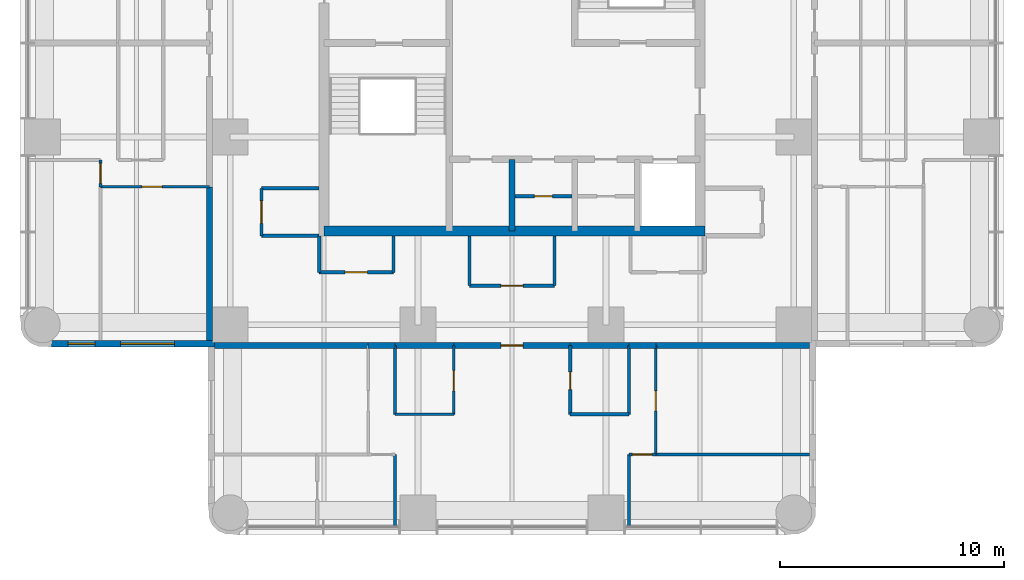
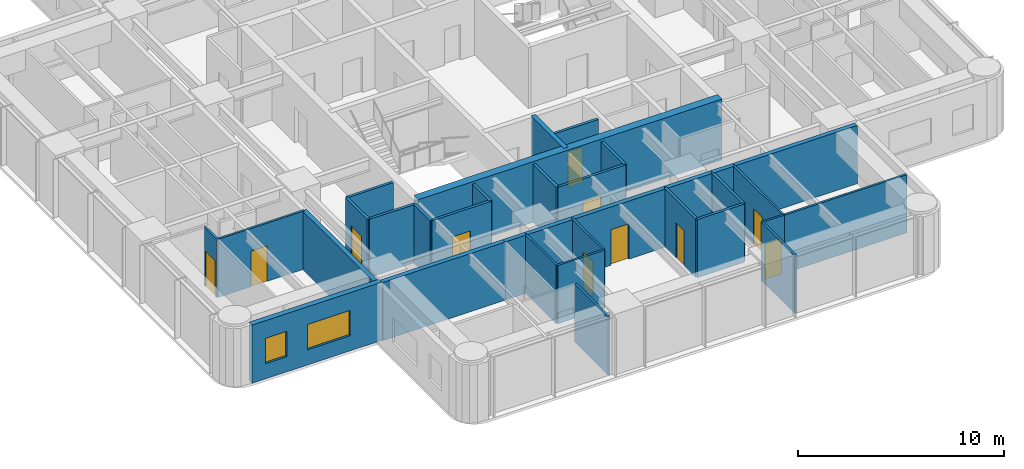
# One storey, part 4 of 10: 34 walls, 11 doors, 2 windows, 13 openings.
"""IFC4 building model written with IfcOpenShell, lengths in metres."""

from ifc_helpers import new_model, si_unit, direction, frame, frame_2d, origin, place, context, subcontext, project, spatial, rectangle, extrude, material, layer, layer_set, type_object, element, fill, save


model = new_model("IFC4")

# Units and contexts
model_context = context("Model", 3, precision=1e-05, world=origin(), true_north=direction((0.0, 1.0)))
body_context = subcontext(model_context, "Body", "Model", "MODEL_VIEW")
ifc_project = project(units=[si_unit("LENGTHUNIT", "METRE"), si_unit("AREAUNIT", "SQUARE_METRE"), si_unit("VOLUMEUNIT", "CUBIC_METRE"), si_unit("PLANEANGLEUNIT", "RADIAN"), si_unit("MASSUNIT", "GRAM", prefix="KILO")], contexts=[model_context])

# Site, building, storey
site_placement = place(None, origin())
site = spatial("IfcSite", under=ifc_project, at=site_placement, CompositionType="ELEMENT")
building_placement = place(site_placement, origin())
building = spatial("IfcBuilding", under=site, at=building_placement, Name="Torre Alcanfor", CompositionType="ELEMENT")
storey_placement = place(building_placement, frame((0.0, 0.0, 257.699951171875)))
storey = spatial("IfcBuildingStorey", under=building, at=storey_placement, Name="L67", CompositionType="ELEMENT", Elevation=257.699951171875)

# Wall, opening, door
ifc_material_1 = material(Name="Concrete block masonry, hollow blocks NMX-C-404 9 MPa", Category="masonry")
ifc_layer_1 = layer(ifc_material_1, 0.25)
ifc_layer_set_1 = layer_set([ifc_layer_1], Name="Apartment entrance wall 250 EI 60")
wall_type_1 = type_object("IfcWallType", Name="Apartment entrance wall 250 EI 60", PredefinedType="PARTITIONING", material=ifc_layer_set_1)
wall_1_placement = place(storey_placement, frame((32.0, 15.875, 0.0), z_axis=(0.0, 0.0, 1.0), x_axis=(-1.0, 0.0, 0.0)))
wall_1 = element("IfcWall", 1, at=wall_1_placement, inside=storey, type_object=wall_type_1, Name="Partition L67-CORR / L67-SX-ZAG", PredefinedType="PARTITIONING", context=body_context, shape_type="SweptSolid", body=[
    extrude(rectangle(XDim=5.199951171875, YDim=0.25, at=frame_2d((2.60009765625, 0.0))), origin(), (0.0, 0.0, 1.0), 3.449951171875),
])
opening_1_placement = place(wall_1_placement, frame((2.10009765625, 0.0, 0.0)))
opening_1 = element("IfcOpeningElement", 2, at=opening_1_placement, cuts=wall_1, Name="Opening D-A1", PredefinedType="OPENING", context=body_context, shape_type="SweptSolid", body=[
    extrude(rectangle(XDim=1.0, YDim=2.10009765625, at=frame_2d((0.5, 1.050048828125))), frame((0.0, 0.135009765625, 0.0), z_axis=(0.0, -1.0, 0.0), x_axis=(1.0, 0.0, 0.0)), (0.0, 0.0, 1.0), 0.27001953125),
])
ifc_material_2 = material(Name="Galvanised steel sheet ASTM A653", Category="steel")
door_type_1 = type_object("IfcDoorType", Name="Apartment entrance door FD60 1000x2100", OperationType="SINGLE_SWING_LEFT", PredefinedType="DOOR", material=ifc_material_2)
door_1_placement = place(opening_1_placement, origin())
door_1 = element("IfcDoor", 3, at=door_1_placement, inside=storey, type_object=door_type_1, Name="Apartment entrance L67-SX", OperationType="SINGLE_SWING_LEFT", OverallHeight=2.10009765625, OverallWidth=1.0, PredefinedType="DOOR", context=body_context, shape_type="SweptSolid", body=[
    extrude(rectangle(XDim=1.0, YDim=2.10009765625, at=frame_2d((0.5, 1.050048828125))), frame((0.0, 0.02490234375, 0.0), z_axis=(0.0, -1.0, 0.0), x_axis=(1.0, 0.0, 0.0)), (0.0, 0.0, 1.0), 0.050048828125),
])
fill(opening_1, door_1)

# Walls
wall_2_placement = place(storey_placement, frame((34.62890625, 15.875, 0.0), z_axis=(0.0, 0.0, 1.0), x_axis=(-1.0, 0.0, 0.0)))
element("IfcWall", 4, at=wall_2_placement, inside=storey, type_object=wall_type_1, Name="Partition L67-CORR / L67-SX-BATH2", PredefinedType="PARTITIONING", context=body_context, shape_type="SweptSolid", body=[
    extrude(rectangle(XDim=2.62890625, YDim=0.25, at=frame_2d((1.314453125, 0.0))), origin(), (0.0, 0.0, 1.0), 3.449951171875),
])
wall_3_placement = place(storey_placement, frame((26.800048828125, 15.875, 0.0), z_axis=(0.0, 0.0, 1.0), x_axis=(-1.0, 0.0, 0.0)))
element("IfcWall", 5, at=wall_3_placement, inside=storey, type_object=wall_type_1, Name="Partition L67-CORR / L67-SX-KITCHEN", PredefinedType="PARTITIONING", context=body_context, shape_type="SweptSolid", body=[
    extrude(rectangle(XDim=2.629150390625, YDim=0.25, at=frame_2d((1.314453125, 0.0))), origin(), (0.0, 0.0, 1.0), 3.449951171875),
])
wall_4_placement = place(storey_placement, frame((24.1708984375, 15.875, 0.0), z_axis=(0.0, 0.0, 1.0), x_axis=(-1.0, 0.0, 0.0)))
element("IfcWall", 6, at=wall_4_placement, inside=storey, type_object=wall_type_1, Name="Partition L67-CORR / L67-SX-LIVING", PredefinedType="PARTITIONING", context=body_context, shape_type="SweptSolid", body=[
    extrude(rectangle(XDim=1.199951171875, YDim=0.25, at=frame_2d((0.60009765625, 0.0))), origin(), (0.0, 0.0, 1.0), 3.449951171875),
])
wall_5_placement = place(storey_placement, frame((35.8291015625, 15.875, 0.0), z_axis=(0.0, 0.0, 1.0), x_axis=(-1.0, 0.0, 0.0)))
element("IfcWall", 7, at=wall_5_placement, inside=storey, type_object=wall_type_1, Name="Partition L67-CORR / L67-SX-LIVING", PredefinedType="PARTITIONING", context=body_context, shape_type="SweptSolid", body=[
    extrude(rectangle(XDim=1.2001953125, YDim=0.25, at=frame_2d((0.60009765625, 0.0))), origin(), (0.0, 0.0, 1.0), 3.449951171875),
])
for number, where, z_axis, x_axis, name in (
    (8, (42.699951171875, 15.875, 0.0), (0.0, 0.0, 1.0), (-1.0, 0.0, 0.0), "Partition L67-CORR / L67-SX-BED2"),
    (9, (22.970947265625, 15.875, 0.0), (0.0, 0.0, 1.0), (-1.0, 0.0, 0.0), "Partition L67-CORR / L67-SX-BED3"),
    (10, (15.875, 16.10009765625, 0.0), (0.0, 0.0, 1.0), (0.0, 1.0, 0.0), "Partition L67-CORR / L67-W1-BED2"),
):
    element("IfcWall", number, at=place(storey_placement, frame(where, z_axis=z_axis, x_axis=x_axis)), inside=storey, type_object=wall_type_1, Name=name, PredefinedType="PARTITIONING", context=body_context, shape_type="SweptSolid", body=[
        extrude(rectangle(XDim=6.870849609375, YDim=0.25, at=frame_2d((3.435546875, 0.0))), origin(), (0.0, 0.0, 1.0), 3.449951171875),
    ])

# Wall, opening, door
ifc_material_3 = material(Name="Gypsum board on steel studs", Category="steel")
ifc_layer_2 = layer(ifc_material_3, 0.1201171875)
ifc_layer_set_2 = layer_set([ifc_layer_2], Name="Apartment partition 120")
wall_type_2 = type_object("IfcWallType", Name="Apartment partition 120", PredefinedType="PARTITIONING", material=ifc_layer_set_2)
wall_6_placement = place(storey_placement, frame((26.800048828125, 15.875, 0.0), z_axis=(0.0, 0.0, 1.0), x_axis=(0.0, -1.0, 0.0)))
wall_6 = element("IfcWall", 11, at=wall_6_placement, inside=storey, type_object=wall_type_2, Name="Partition L67-SX-ZAG / L67-SX-KITCHEN", PredefinedType="PARTITIONING", context=body_context, shape_type="SweptSolid", body=[
    extrude(rectangle(XDim=3.074951171875, YDim=0.1201171875, at=frame_2d((1.53759765625, 0.0))), origin(), (0.0, 0.0, 1.0), 3.449951171875),
])
opening_2_placement = place(wall_6_placement, frame((1.125, 0.0, 0.0)))
opening_2 = element("IfcOpeningElement", 12, at=opening_2_placement, cuts=wall_6, Name="Opening D-R1", PredefinedType="OPENING", context=body_context, shape_type="SweptSolid", body=[
    extrude(rectangle(XDim=0.89990234375, YDim=2.10009765625, at=frame_2d((0.449951171875, 1.050048828125))), frame((0.0, 0.070068359375, 0.0), z_axis=(0.0, -1.0, 0.0), x_axis=(1.0, 0.0, 0.0)), (0.0, 0.0, 1.0), 0.14013671875),
])
ifc_material_4 = material(Name="Timber", Category="wood")
door_type_2 = type_object("IfcDoorType", Name="Internal door 900x2100", OperationType="SINGLE_SWING_LEFT", PredefinedType="DOOR", material=ifc_material_4)
door_2_placement = place(opening_2_placement, frame((0.89990234375, 0.0, 0.0), z_axis=(0.0, 0.0, 1.0), x_axis=(-1.0, 0.0, 0.0)))
door_2 = element("IfcDoor", 13, at=door_2_placement, inside=storey, type_object=door_type_2, Name="Door L67-SX kitchen", OperationType="SINGLE_SWING_LEFT", OverallHeight=2.10009765625, OverallWidth=0.89990234375, PredefinedType="DOOR", context=body_context, shape_type="SweptSolid", body=[
    extrude(rectangle(XDim=0.89990234375, YDim=2.10009765625, at=frame_2d((0.449951171875, 1.050048828125))), frame((0.0, 0.025146484375, 0.0), z_axis=(0.0, -1.0, 0.0), x_axis=(1.0, 0.0, 0.0)), (0.0, 0.0, 1.0), 0.050048828125),
])
fill(opening_2, door_2)

# Walls
wall_7_placement = place(storey_placement, frame((24.1708984375, 15.875, 0.0), z_axis=(0.0, 0.0, 1.0), x_axis=(0.0, -1.0, 0.0)))
element("IfcWall", 14, at=wall_7_placement, inside=storey, type_object=wall_type_2, Name="Partition L67-SX-KITCHEN / L67-SX-LIVING", PredefinedType="PARTITIONING", context=body_context, shape_type="SweptSolid", body=[
    extrude(rectangle(XDim=3.074951171875, YDim=0.1201171875, at=frame_2d((1.53759765625, 0.0))), origin(), (0.0, 0.0, 1.0), 3.449951171875),
])
wall_8_placement = place(storey_placement, frame((24.1708984375, 12.800048828125, 0.0), z_axis=(0.0, 0.0, 1.0), x_axis=(1.0, 0.0, 0.0)))
element("IfcWall", 15, at=wall_8_placement, inside=storey, type_object=wall_type_2, Name="Partition L67-SX-KITCHEN / L67-SX-LIVING", PredefinedType="PARTITIONING", context=body_context, shape_type="SweptSolid", body=[
    extrude(rectangle(XDim=2.629150390625, YDim=0.1201171875, at=frame_2d((1.314453125, 0.0))), origin(), (0.0, 0.0, 1.0), 3.449951171875),
])

# Wall, opening, door
wall_9_placement = place(storey_placement, frame((35.8291015625, 15.875, 0.0), z_axis=(0.0, 0.0, 1.0), x_axis=(0.0, -1.0, 0.0)))
wall_9 = element("IfcWall", 16, at=wall_9_placement, inside=storey, type_object=wall_type_2, Name="Partition L67-SX-LIVING / L67-SX-BED2", PredefinedType="PARTITIONING", context=body_context, shape_type="SweptSolid", body=[
    extrude(rectangle(XDim=4.875, YDim=0.1201171875, at=frame_2d((2.4375, 0.0))), origin(), (0.0, 0.0, 1.0), 3.449951171875),
])
opening_3_placement = place(wall_9_placement, frame((2.02490234375, 0.0, 0.0)))
opening_3 = element("IfcOpeningElement", 17, at=opening_3_placement, cuts=wall_9, Name="Opening D-R1", PredefinedType="OPENING", context=body_context, shape_type="SweptSolid", body=[
    extrude(rectangle(XDim=0.89990234375, YDim=2.10009765625, at=frame_2d((0.449951171875, 1.050048828125))), frame((0.0, 0.070068359375, 0.0), z_axis=(0.0, -1.0, 0.0), x_axis=(1.0, 0.0, 0.0)), (0.0, 0.0, 1.0), 0.14013671875),
])
door_3_placement = place(opening_3_placement, origin())
door_3 = element("IfcDoor", 18, at=door_3_placement, inside=storey, type_object=door_type_2, Name="Door L67-SX bed2", OperationType="SINGLE_SWING_RIGHT", OverallHeight=2.10009765625, OverallWidth=0.89990234375, PredefinedType="DOOR", context=body_context, shape_type="SweptSolid", body=[
    extrude(rectangle(XDim=0.89990234375, YDim=2.10009765625, at=frame_2d((0.449951171875, 1.050048828125))), frame((0.0, 0.02490234375, 0.0), z_axis=(0.0, -1.0, 0.0), x_axis=(1.0, 0.0, 0.0)), (0.0, 0.0, 1.0), 0.050048828125),
])
fill(opening_3, door_3)

wall_10_placement = place(storey_placement, frame((35.8291015625, 11.0, 0.0), z_axis=(0.0, 0.0, 1.0), x_axis=(-1.0, 0.0, 0.0)))
wall_10 = element("IfcWall", 19, at=wall_10_placement, inside=storey, type_object=wall_type_2, Name="Partition L67-SX-LIVING / L67-SX-MASTER", PredefinedType="PARTITIONING", context=body_context, shape_type="SweptSolid", body=[
    extrude(rectangle(XDim=1.2001953125, YDim=0.1201171875, at=frame_2d((0.60009765625, 0.0))), origin(), (0.0, 0.0, 1.0), 3.449951171875),
])
opening_4_placement = place(wall_10_placement, frame((0.14892578125, 0.0, 0.0)))
opening_4 = element("IfcOpeningElement", 20, at=opening_4_placement, cuts=wall_10, Name="Opening D-R1", PredefinedType="OPENING", context=body_context, shape_type="SweptSolid", body=[
    extrude(rectangle(XDim=0.89990234375, YDim=2.10009765625, at=frame_2d((0.449951171875, 1.050048828125))), frame((0.0, 0.070068359375, 0.0), z_axis=(0.0, -1.0, 0.0), x_axis=(1.0, 0.0, 0.0)), (0.0, 0.0, 1.0), 0.14013671875),
])
door_4_placement = place(opening_4_placement, origin())
door_4 = element("IfcDoor", 21, at=door_4_placement, inside=storey, type_object=door_type_2, Name="Door L67-SX master", OperationType="SINGLE_SWING_RIGHT", OverallHeight=2.10009765625, OverallWidth=0.89990234375, PredefinedType="DOOR", context=body_context, shape_type="SweptSolid", body=[
    extrude(rectangle(XDim=0.89990234375, YDim=2.10009765625, at=frame_2d((0.449951171875, 1.050048828125))), frame((0.0, 0.02490234375, 0.0), z_axis=(0.0, -1.0, 0.0), x_axis=(1.0, 0.0, 0.0)), (0.0, 0.0, 1.0), 0.050048828125),
])
fill(opening_4, door_4)

# Walls
for number, where, z_axis, x_axis, name in (
    (22, (34.62890625, 11.0, 0.0), (0.0, 0.0, 1.0), (0.0, -1.0, 0.0), "Partition L67-SX-LIVING / L67-SX-MASTER"),
    (23, (24.1708984375, 7.75, 0.0), (0.0, 0.0, 1.0), (0.0, 1.0, 0.0), "Partition L67-SX-LIVING / L67-SX-BED1"),
):
    element("IfcWall", number, at=place(storey_placement, frame(where, z_axis=z_axis, x_axis=x_axis)), inside=storey, type_object=wall_type_2, Name=name, PredefinedType="PARTITIONING", context=body_context, shape_type="SweptSolid", body=[
        extrude(rectangle(XDim=3.25, YDim=0.1201171875, at=frame_2d((1.625, 0.0))), origin(), (0.0, 0.0, 1.0), 3.449951171875),
    ])
wall_11_placement = place(storey_placement, frame((35.8291015625, 11.0, 0.0), z_axis=(0.0, 0.0, 1.0), x_axis=(1.0, 0.0, 0.0)))
element("IfcWall", 24, at=wall_11_placement, inside=storey, type_object=wall_type_2, Name="Partition L67-SX-BED2 / L67-SX-MASTER", PredefinedType="PARTITIONING", context=body_context, shape_type="SweptSolid", body=[
    extrude(rectangle(XDim=6.870849609375, YDim=0.1201171875, at=frame_2d((3.435546875, 0.0))), origin(), (0.0, 0.0, 1.0), 3.449951171875),
])

# Wall, opening, door
wall_12_placement = place(storey_placement, frame((15.875, 22.970947265625, 0.0), z_axis=(0.0, 0.0, 1.0), x_axis=(-1.0, 0.0, 0.0)))
wall_12 = element("IfcWall", 25, at=wall_12_placement, inside=storey, type_object=wall_type_2, Name="Partition L67-W1-LIVING / L67-W1-BED2", PredefinedType="PARTITIONING", context=body_context, shape_type="SweptSolid", body=[
    extrude(rectangle(XDim=4.875, YDim=0.1201171875, at=frame_2d((2.4375, 0.0))), origin(), (0.0, 0.0, 1.0), 3.449951171875),
])
opening_5_placement = place(wall_12_placement, frame((2.125, 0.0, 0.0)))
opening_5 = element("IfcOpeningElement", 26, at=opening_5_placement, cuts=wall_12, Name="Opening D-R1", PredefinedType="OPENING", context=body_context, shape_type="SweptSolid", body=[
    extrude(rectangle(XDim=0.89990234375, YDim=2.10009765625, at=frame_2d((0.449951171875, 1.050048828125))), frame((0.0, 0.070068359375, 0.0), z_axis=(0.0, -1.0, 0.0), x_axis=(1.0, 0.0, 0.0)), (0.0, 0.0, 1.0), 0.14013671875),
])
door_5_placement = place(opening_5_placement, origin())
door_5 = element("IfcDoor", 27, at=door_5_placement, inside=storey, type_object=door_type_2, Name="Door L67-W1 bed2", OperationType="SINGLE_SWING_RIGHT", OverallHeight=2.10009765625, OverallWidth=0.89990234375, PredefinedType="DOOR", context=body_context, shape_type="SweptSolid", body=[
    extrude(rectangle(XDim=0.89990234375, YDim=2.10009765625, at=frame_2d((0.449951171875, 1.050048828125))), frame((0.0, 0.02490234375, 0.0), z_axis=(0.0, -1.0, 0.0), x_axis=(1.0, 0.0, 0.0)), (0.0, 0.0, 1.0), 0.050048828125),
])
fill(opening_5, door_5)

wall_13_placement = place(storey_placement, frame((11.0, 22.970947265625, 0.0), z_axis=(0.0, 0.0, 1.0), x_axis=(0.0, 1.0, 0.0)))
wall_13 = element("IfcWall", 28, at=wall_13_placement, inside=storey, type_object=wall_type_2, Name="Partition L67-W1-LIVING / L67-W1-MASTER", PredefinedType="PARTITIONING", context=body_context, shape_type="SweptSolid", body=[
    extrude(rectangle(XDim=1.199951171875, YDim=0.1201171875, at=frame_2d((0.60009765625, 0.0))), origin(), (0.0, 0.0, 1.0), 3.449951171875),
])
opening_6_placement = place(wall_13_placement, frame((0.14892578125, 0.0, 0.0)))
opening_6 = element("IfcOpeningElement", 29, at=opening_6_placement, cuts=wall_13, Name="Opening D-R1", PredefinedType="OPENING", context=body_context, shape_type="SweptSolid", body=[
    extrude(rectangle(XDim=0.89990234375, YDim=2.10009765625, at=frame_2d((0.449951171875, 1.050048828125))), frame((0.0, 0.070068359375, 0.0), z_axis=(0.0, -1.0, 0.0), x_axis=(1.0, 0.0, 0.0)), (0.0, 0.0, 1.0), 0.14013671875),
])
door_6_placement = place(opening_6_placement, origin())
door_6 = element("IfcDoor", 30, at=door_6_placement, inside=storey, type_object=door_type_2, Name="Door L67-W1 master", OperationType="SINGLE_SWING_RIGHT", OverallHeight=2.10009765625, OverallWidth=0.89990234375, PredefinedType="DOOR", context=body_context, shape_type="SweptSolid", body=[
    extrude(rectangle(XDim=0.89990234375, YDim=2.10009765625, at=frame_2d((0.449951171875, 1.050048828125))), frame((0.0, 0.02490234375, 0.0), z_axis=(0.0, -1.0, 0.0), x_axis=(1.0, 0.0, 0.0)), (0.0, 0.0, 1.0), 0.050048828125),
])
fill(opening_6, door_6)

# Walls
ifc_material_5 = material(Name="Concrete f'c 70 MPa", Category="concrete")
ifc_layer_3 = layer(ifc_material_5, 0.25)
ifc_layer_set_3 = layer_set([ifc_layer_3], Name="Core shaft wall 250 f'c70")
wall_type_3 = type_object("IfcWallType", Name="Core shaft wall 250 f'c70", PredefinedType="SHEAR", material=ifc_layer_set_3)
wall_14_placement = place(storey_placement, frame((29.39990234375, 21.0, 0.0), z_axis=(0.0, 0.0, 1.0), x_axis=(0.0, 1.0, 0.0)))
element("IfcWall", 31, at=wall_14_placement, inside=storey, type_object=wall_type_3, Name="Core wall X294S L67", PredefinedType="SHEAR", context=body_context, shape_type="SweptSolid", body=[
    extrude(rectangle(XDim=3.199951171875, YDim=0.25, at=frame_2d((1.60009765625, 0.0))), origin(), (0.0, 0.0, 1.0), 3.60009765625),
])
ifc_material_6 = material(Name="Concrete f'c 70 MPa", Category="concrete")
ifc_layer_4 = layer(ifc_material_6, 0.449951171875)
ifc_layer_set_4 = layer_set([ifc_layer_4], Name="Core wall 450 f'c70")
wall_type_4 = type_object("IfcWallType", Name="Core wall 450 f'c70", PredefinedType="SHEAR", material=ifc_layer_set_4)
wall_15_placement = place(storey_placement, frame((21.0, 21.0, 0.0), z_axis=(0.0, 0.0, 1.0), x_axis=(1.0, 0.0, 0.0)))
element("IfcWall", 32, at=wall_15_placement, inside=storey, type_object=wall_type_4, Name="Core wall OUT-S L67", PredefinedType="SHEAR", context=body_context, shape_type="SweptSolid", body=[
    extrude(rectangle(XDim=17.02490234375, YDim=0.449951171875, at=frame_2d((8.512451171875, 0.0))), origin(), (0.0, 0.0, 1.0), 3.60009765625),
])

# Wall, openings, windows
ifc_material_7 = material(Name="Limestone cladding", Category="masonry")
ifc_layer_5 = layer(ifc_material_7, 0.0400390625, Name="Facing")
ifc_material_8 = material(Name="Ventilated air cavity")
ifc_layer_6 = layer(ifc_material_8, 0.02001953125, ventilated=True, Name="Ventilated joint")
ifc_material_9 = material(Name="Mineral wool insulation", Category="insulation")
ifc_layer_7 = layer(ifc_material_9, 0.10009765625, Name="Insulation")
ifc_material_10 = material(Name="Concrete f'c 35 MPa", Category="concrete")
ifc_layer_8 = layer(ifc_material_10, 0.139892578125, Name="Backing")
ifc_layer_set_5 = layer_set([ifc_layer_5, ifc_layer_6, ifc_layer_7, ifc_layer_8], Name="External wall stone-clad 300")
wall_type_5 = type_object("IfcWallType", Name="External wall stone-clad 300", PredefinedType="SOLIDWALL", material=ifc_layer_set_5)
wall_16_placement = place(storey_placement, frame((8.800048828125, 15.949951171875, 0.0), z_axis=(0.0, 0.0, 1.0), x_axis=(1.0, 0.0, 0.0)))
wall_16 = element("IfcWall", 33, at=wall_16_placement, inside=storey, type_object=wall_type_5, Name="External wall L67 3", PredefinedType="SOLIDWALL", context=body_context, shape_type="SweptSolid", body=[
    extrude(rectangle(XDim=7.300048828125, YDim=0.300048828125, at=frame_2d((3.64990234375, 0.0))), origin(), (0.0, 0.0, 1.0), 3.449951171875),
])
opening_7_placement = place(wall_16_placement, frame((3.10009765625, 0.0, 0.89990234375)))
opening_7 = element("IfcOpeningElement", 34, at=opening_7_placement, cuts=wall_16, Name="Opening W1", PredefinedType="OPENING", context=body_context, shape_type="SweptSolid", body=[
    extrude(rectangle(XDim=2.39990234375, YDim=1.5, at=frame_2d((1.199951171875, 0.75))), frame((0.0, 0.159912109375, 0.0), z_axis=(0.0, -1.0, 0.0), x_axis=(1.0, 0.0, 0.0)), (0.0, 0.0, 1.0), 0.320068359375),
])
opening_8_placement = place(wall_16_placement, frame((0.75, 0.0, 0.89990234375)))
opening_8 = element("IfcOpeningElement", 35, at=opening_8_placement, cuts=wall_16, Name="Opening W4", PredefinedType="OPENING", context=body_context, shape_type="SweptSolid", body=[
    extrude(rectangle(XDim=1.199951171875, YDim=1.5, at=frame_2d((0.60009765625, 0.75))), frame((0.0, 0.159912109375, 0.0), z_axis=(0.0, -1.0, 0.0), x_axis=(1.0, 0.0, 0.0)), (0.0, 0.0, 1.0), 0.320068359375),
])
ifc_material_11 = material(Name="Aluminium frame with clear double glazing", Category="aluminium")
window_type_1 = type_object("IfcWindowType", Name="Window bedroom 1200x1500", PartitioningType="SINGLE_PANEL", PredefinedType="WINDOW", material=ifc_material_11)
window_1_placement = place(opening_8_placement, origin())
window_1 = element("IfcWindow", 36, at=window_1_placement, inside=storey, type_object=window_type_1, Name="Window W4 L67-W1", OverallHeight=1.5, OverallWidth=1.199951171875, PartitioningType="SINGLE_PANEL", PredefinedType="WINDOW", context=body_context, shape_type="SweptSolid", body=[
    extrude(rectangle(XDim=1.199951171875, YDim=1.5, at=frame_2d((0.60009765625, 0.75))), frame((0.0, 0.030029296875, 0.0), z_axis=(0.0, -1.0, 0.0), x_axis=(1.0, 0.0, 0.0)), (0.0, 0.0, 1.0), 0.06005859375),
])
fill(opening_8, window_1)
ifc_material_12 = material(Name="Aluminium frame with clear double glazing", Category="aluminium")
window_type_2 = type_object("IfcWindowType", Name="Window bedroom 2400x1500", PartitioningType="SINGLE_PANEL", PredefinedType="WINDOW", material=ifc_material_12)
window_2_placement = place(opening_7_placement, origin())
window_2 = element("IfcWindow", 37, at=window_2_placement, inside=storey, type_object=window_type_2, Name="Window W1 L67-W1", OverallHeight=1.5, OverallWidth=2.39990234375, PartitioningType="SINGLE_PANEL", PredefinedType="WINDOW", context=body_context, shape_type="SweptSolid", body=[
    extrude(rectangle(XDim=2.39990234375, YDim=1.5, at=frame_2d((1.199951171875, 0.75))), frame((0.0, 0.030029296875, 0.0), z_axis=(0.0, -1.0, 0.0), x_axis=(1.0, 0.0, 0.0)), (0.0, 0.0, 1.0), 0.06005859375),
])
fill(opening_7, window_2)

# Wall
ifc_material_13 = material(Name="Concrete block masonry, hollow blocks NMX-C-404 9 MPa", Category="masonry")
ifc_layer_9 = layer(ifc_material_13, 0.14990234375)
ifc_layer_set_6 = layer_set([ifc_layer_9], Name="Residents' room partition 150")
wall_type_6 = type_object("IfcWallType", Name="Residents' room partition 150", PredefinedType="PARTITIONING", material=ifc_layer_set_6)
wall_17_placement = place(storey_placement, frame((20.77490234375, 20.77490234375, 0.0), z_axis=(0.0, 0.0, 1.0), x_axis=(0.0, -1.0, 0.0)))
element("IfcWall", 38, at=wall_17_placement, inside=storey, type_object=wall_type_6, Name="Partition L67-CORR / L67-G05", PredefinedType="PARTITIONING", context=body_context, shape_type="SweptSolid", body=[
    extrude(rectangle(XDim=1.625, YDim=0.14990234375, at=frame_2d((0.8125, 0.0))), origin(), (0.0, 0.0, 1.0), 3.449951171875),
])

# Wall, opening, door
wall_18_placement = place(storey_placement, frame((20.77490234375, 19.14990234375, 0.0), z_axis=(0.0, 0.0, 1.0), x_axis=(1.0, 0.0, 0.0)))
wall_18 = element("IfcWall", 39, at=wall_18_placement, inside=storey, type_object=wall_type_6, Name="Partition L67-CORR / L67-G05", PredefinedType="PARTITIONING", context=body_context, shape_type="SweptSolid", body=[
    extrude(rectangle(XDim=3.3251953125, YDim=0.14990234375, at=frame_2d((1.66259765625, 0.0))), origin(), (0.0, 0.0, 1.0), 3.449951171875),
])
opening_9_placement = place(wall_18_placement, frame((1.16259765625, 0.0, 0.0)))
opening_9 = element("IfcOpeningElement", 40, at=opening_9_placement, cuts=wall_18, Name="Opening D-M1", PredefinedType="OPENING", context=body_context, shape_type="SweptSolid", body=[
    extrude(rectangle(XDim=1.0, YDim=2.10009765625, at=frame_2d((0.5, 1.050048828125))), frame((0.0, 0.0849609375, 0.0), z_axis=(0.0, -1.0, 0.0), x_axis=(1.0, 0.0, 0.0)), (0.0, 0.0, 1.0), 0.169921875),
])
ifc_material_14 = material(Name="Timber", Category="wood")
door_type_3 = type_object("IfcDoorType", Name="Residents' room door 1000x2100", OperationType="SINGLE_SWING_LEFT", PredefinedType="DOOR", material=ifc_material_14)
door_7_placement = place(opening_9_placement, origin())
door_7 = element("IfcDoor", 41, at=door_7_placement, inside=storey, type_object=door_type_3, Name="Door L67-G05 parcel room", OperationType="SINGLE_SWING_LEFT", OverallHeight=2.10009765625, OverallWidth=1.0, PredefinedType="DOOR", context=body_context, shape_type="SweptSolid", body=[
    extrude(rectangle(XDim=1.0, YDim=2.10009765625, at=frame_2d((0.5, 1.050048828125))), frame((0.0, 0.02490234375, 0.0), z_axis=(0.0, -1.0, 0.0), x_axis=(1.0, 0.0, 0.0)), (0.0, 0.0, 1.0), 0.050048828125),
])
fill(opening_9, door_7)

# Walls
wall_19_placement = place(storey_placement, frame((24.10009765625, 19.14990234375, 0.0), z_axis=(0.0, 0.0, 1.0), x_axis=(0.0, 1.0, 0.0)))
element("IfcWall", 42, at=wall_19_placement, inside=storey, type_object=wall_type_6, Name="Partition L67-CORR / L67-G05", PredefinedType="PARTITIONING", context=body_context, shape_type="SweptSolid", body=[
    extrude(rectangle(XDim=1.625, YDim=0.14990234375, at=frame_2d((0.8125, 0.0))), origin(), (0.0, 0.0, 1.0), 3.449951171875),
])
wall_20_placement = place(storey_placement, frame((27.5, 20.77490234375, 0.0), z_axis=(0.0, 0.0, 1.0), x_axis=(0.0, -1.0, 0.0)))
element("IfcWall", 43, at=wall_20_placement, inside=storey, type_object=wall_type_6, Name="Partition L67-CORR / L67-G06", PredefinedType="PARTITIONING", context=body_context, shape_type="SweptSolid", body=[
    extrude(rectangle(XDim=2.224853515625, YDim=0.14990234375, at=frame_2d((1.1123046875, 0.0))), origin(), (0.0, 0.0, 1.0), 3.449951171875),
])

# Wall, opening, door
wall_21_placement = place(storey_placement, frame((27.5, 18.550048828125, 0.0), z_axis=(0.0, 0.0, 1.0), x_axis=(1.0, 0.0, 0.0)))
wall_21 = element("IfcWall", 44, at=wall_21_placement, inside=storey, type_object=wall_type_6, Name="Partition L67-CORR / L67-G06", PredefinedType="PARTITIONING", context=body_context, shape_type="SweptSolid", body=[
    extrude(rectangle(XDim=3.800048828125, YDim=0.14990234375, at=frame_2d((1.89990234375, 0.0))), origin(), (0.0, 0.0, 1.0), 3.449951171875),
])
opening_10_placement = place(wall_21_placement, frame((1.39990234375, 0.0, 0.0)))
opening_10 = element("IfcOpeningElement", 45, at=opening_10_placement, cuts=wall_21, Name="Opening D-M1", PredefinedType="OPENING", context=body_context, shape_type="SweptSolid", body=[
    extrude(rectangle(XDim=1.0, YDim=2.10009765625, at=frame_2d((0.5, 1.050048828125))), frame((0.0, 0.0849609375, 0.0), z_axis=(0.0, -1.0, 0.0), x_axis=(1.0, 0.0, 0.0)), (0.0, 0.0, 1.0), 0.169921875),
])
door_8_placement = place(opening_10_placement, origin())
door_8 = element("IfcDoor", 46, at=door_8_placement, inside=storey, type_object=door_type_3, Name="Door L67-G06 parcel room", OperationType="SINGLE_SWING_LEFT", OverallHeight=2.10009765625, OverallWidth=1.0, PredefinedType="DOOR", context=body_context, shape_type="SweptSolid", body=[
    extrude(rectangle(XDim=1.0, YDim=2.10009765625, at=frame_2d((0.5, 1.050048828125))), frame((0.0, 0.02490234375, 0.0), z_axis=(0.0, -1.0, 0.0), x_axis=(1.0, 0.0, 0.0)), (0.0, 0.0, 1.0), 0.050048828125),
])
fill(opening_10, door_8)

# Walls
wall_22_placement = place(storey_placement, frame((31.300048828125, 18.550048828125, 0.0), z_axis=(0.0, 0.0, 1.0), x_axis=(0.0, 1.0, 0.0)))
element("IfcWall", 47, at=wall_22_placement, inside=storey, type_object=wall_type_6, Name="Partition L67-CORR / L67-G06", PredefinedType="PARTITIONING", context=body_context, shape_type="SweptSolid", body=[
    extrude(rectangle(XDim=2.224853515625, YDim=0.14990234375, at=frame_2d((1.1123046875, 0.0))), origin(), (0.0, 0.0, 1.0), 3.449951171875),
])
wall_23_placement = place(storey_placement, frame((20.77490234375, 22.89990234375, 0.0), z_axis=(0.0, 0.0, 1.0), x_axis=(-1.0, 0.0, 0.0)))
element("IfcWall", 48, at=wall_23_placement, inside=storey, type_object=wall_type_6, Name="Partition L67-CORR / L67-G08", PredefinedType="PARTITIONING", context=body_context, shape_type="SweptSolid", body=[
    extrude(rectangle(XDim=2.574951171875, YDim=0.14990234375, at=frame_2d((1.28759765625, 0.0))), origin(), (0.0, 0.0, 1.0), 3.449951171875),
])

# Wall, opening, door
wall_24_placement = place(storey_placement, frame((18.199951171875, 22.89990234375, 0.0), z_axis=(0.0, 0.0, 1.0), x_axis=(0.0, -1.0, 0.0)))
wall_24 = element("IfcWall", 49, at=wall_24_placement, inside=storey, type_object=wall_type_6, Name="Partition L67-CORR / L67-G08", PredefinedType="PARTITIONING", context=body_context, shape_type="SweptSolid", body=[
    extrude(rectangle(XDim=2.125, YDim=0.14990234375, at=frame_2d((1.0625, 0.0))), origin(), (0.0, 0.0, 1.0), 3.449951171875),
])
opening_11_placement = place(wall_24_placement, frame((0.5625, 0.0, 0.0)))
opening_11 = element("IfcOpeningElement", 50, at=opening_11_placement, cuts=wall_24, Name="Opening D-M1", PredefinedType="OPENING", context=body_context, shape_type="SweptSolid", body=[
    extrude(rectangle(XDim=1.0, YDim=2.10009765625, at=frame_2d((0.5, 1.050048828125))), frame((0.0, 0.0849609375, 0.0), z_axis=(0.0, -1.0, 0.0), x_axis=(1.0, 0.0, 0.0)), (0.0, 0.0, 1.0), 0.169921875),
])
door_9_placement = place(opening_11_placement, origin())
door_9 = element("IfcDoor", 51, at=door_9_placement, inside=storey, type_object=door_type_3, Name="Door L67-G08 linen store", OperationType="SINGLE_SWING_LEFT", OverallHeight=2.10009765625, OverallWidth=1.0, PredefinedType="DOOR", context=body_context, shape_type="SweptSolid", body=[
    extrude(rectangle(XDim=1.0, YDim=2.10009765625, at=frame_2d((0.5, 1.050048828125))), frame((0.0, 0.02490234375, 0.0), z_axis=(0.0, -1.0, 0.0), x_axis=(1.0, 0.0, 0.0)), (0.0, 0.0, 1.0), 0.050048828125),
])
fill(opening_11, door_9)

# Wall
wall_25_placement = place(storey_placement, frame((18.199951171875, 20.77490234375, 0.0), z_axis=(0.0, 0.0, 1.0), x_axis=(1.0, 0.0, 0.0)))
element("IfcWall", 52, at=wall_25_placement, inside=storey, type_object=wall_type_6, Name="Partition L67-CORR / L67-G08", PredefinedType="PARTITIONING", context=body_context, shape_type="SweptSolid", body=[
    extrude(rectangle(XDim=2.574951171875, YDim=0.14990234375, at=frame_2d((1.28759765625, 0.0))), origin(), (0.0, 0.0, 1.0), 3.449951171875),
])

# Wall, opening, door
wall_26_placement = place(storey_placement, frame((29.52490234375, 22.550048828125, 0.0), z_axis=(0.0, 0.0, 1.0), x_axis=(1.0, 0.0, 0.0)))
wall_26 = element("IfcWall", 53, at=wall_26_placement, inside=storey, type_object=wall_type_6, Name="Partition L67-PA2R / L67-PA2C", PredefinedType="PARTITIONING", context=body_context, shape_type="SweptSolid", body=[
    extrude(rectangle(XDim=2.550048828125, YDim=0.14990234375, at=frame_2d((1.27490234375, 0.0))), origin(), (0.0, 0.0, 1.0), 3.449951171875),
])
opening_12_placement = place(wall_26_placement, frame((0.875, 0.0, 0.0)))
opening_12 = element("IfcOpeningElement", 54, at=opening_12_placement, cuts=wall_26, Name="Opening D-R2", PredefinedType="OPENING", context=body_context, shape_type="SweptSolid", body=[
    extrude(rectangle(XDim=0.800048828125, YDim=2.10009765625, at=frame_2d((0.39990234375, 1.050048828125))), frame((0.0, 0.0849609375, 0.0), z_axis=(0.0, -1.0, 0.0), x_axis=(1.0, 0.0, 0.0)), (0.0, 0.0, 1.0), 0.169921875),
])
ifc_material_15 = material(Name="Timber", Category="wood")
door_type_4 = type_object("IfcDoorType", Name="Bathroom door 800x2100", OperationType="SINGLE_SWING_LEFT", PredefinedType="DOOR", material=ifc_material_15)
door_10_placement = place(opening_12_placement, frame((0.800048828125, 0.0, 0.0), z_axis=(0.0, 0.0, 1.0), x_axis=(-1.0, 0.0, 0.0)))
door_10 = element("IfcDoor", 55, at=door_10_placement, inside=storey, type_object=door_type_4, Name="Linen cupboard door L67", OperationType="SINGLE_SWING_RIGHT", OverallHeight=2.10009765625, OverallWidth=0.800048828125, PredefinedType="DOOR", context=body_context, shape_type="SweptSolid", body=[
    extrude(rectangle(XDim=0.800048828125, YDim=2.10009765625, at=frame_2d((0.400146484375, 1.050048828125))), frame((0.0, 0.025146484375, 0.0), z_axis=(0.0, -1.0, 0.0), x_axis=(1.0, 0.0, 0.0)), (0.0, 0.0, 1.0), 0.050048828125),
])
fill(opening_12, door_10)

ifc_material_16 = material(Name="Cement board on steel studs", Category="steel")
ifc_layer_10 = layer(ifc_material_16, 0.14990234375)
ifc_layer_set_7 = layer_set([ifc_layer_10], Name="Wet area partition 150")
wall_type_7 = type_object("IfcWallType", Name="Wet area partition 150", PredefinedType="PARTITIONING", material=ifc_layer_set_7)
wall_27_placement = place(storey_placement, frame((32.0, 12.800048828125, 0.0), z_axis=(0.0, 0.0, 1.0), x_axis=(0.0, 1.0, 0.0)))
wall_27 = element("IfcWall", 56, at=wall_27_placement, inside=storey, type_object=wall_type_7, Name="Partition L67-SX-ZAG / L67-SX-BATH2", PredefinedType="PARTITIONING", context=body_context, shape_type="SweptSolid", body=[
    extrude(rectangle(XDim=3.074951171875, YDim=0.14990234375, at=frame_2d((1.53759765625, 0.0))), origin(), (0.0, 0.0, 1.0), 3.449951171875),
])
opening_13_placement = place(wall_27_placement, frame((1.10009765625, 0.0, 0.0)))
opening_13 = element("IfcOpeningElement", 57, at=opening_13_placement, cuts=wall_27, Name="Opening D-R2", PredefinedType="OPENING", context=body_context, shape_type="SweptSolid", body=[
    extrude(rectangle(XDim=0.800048828125, YDim=2.10009765625, at=frame_2d((0.39990234375, 1.050048828125))), frame((0.0, 0.0849609375, 0.0), z_axis=(0.0, -1.0, 0.0), x_axis=(1.0, 0.0, 0.0)), (0.0, 0.0, 1.0), 0.169921875),
])
door_11_placement = place(opening_13_placement, frame((0.800048828125, 0.0, 0.0), z_axis=(0.0, 0.0, 1.0), x_axis=(-1.0, 0.0, 0.0)))
door_11 = element("IfcDoor", 58, at=door_11_placement, inside=storey, type_object=door_type_4, Name="Door L67-SX bath2", OperationType="SINGLE_SWING_RIGHT", OverallHeight=2.10009765625, OverallWidth=0.800048828125, PredefinedType="DOOR", context=body_context, shape_type="SweptSolid", body=[
    extrude(rectangle(XDim=0.800048828125, YDim=2.10009765625, at=frame_2d((0.400146484375, 1.050048828125))), frame((0.0, 0.025146484375, 0.0), z_axis=(0.0, -1.0, 0.0), x_axis=(1.0, 0.0, 0.0)), (0.0, 0.0, 1.0), 0.050048828125),
])
fill(opening_13, door_11)

# Walls
wall_28_placement = place(storey_placement, frame((32.0, 12.800048828125, 0.0), z_axis=(0.0, 0.0, 1.0), x_axis=(1.0, 0.0, 0.0)))
element("IfcWall", 59, at=wall_28_placement, inside=storey, type_object=wall_type_7, Name="Partition L67-SX-BATH2 / L67-SX-LIVING", PredefinedType="PARTITIONING", context=body_context, shape_type="SweptSolid", body=[
    extrude(rectangle(XDim=2.62890625, YDim=0.14990234375, at=frame_2d((1.314453125, 0.0))), origin(), (0.0, 0.0, 1.0), 3.449951171875),
])
wall_29_placement = place(storey_placement, frame((34.62890625, 12.800048828125, 0.0), z_axis=(0.0, 0.0, 1.0), x_axis=(0.0, 1.0, 0.0)))
element("IfcWall", 60, at=wall_29_placement, inside=storey, type_object=wall_type_7, Name="Partition L67-SX-BATH2 / L67-SX-LIVING", PredefinedType="PARTITIONING", context=body_context, shape_type="SweptSolid", body=[
    extrude(rectangle(XDim=3.074951171875, YDim=0.14990234375, at=frame_2d((1.53759765625, 0.0))), origin(), (0.0, 0.0, 1.0), 3.449951171875),
])

save(model, "model.ifc")
